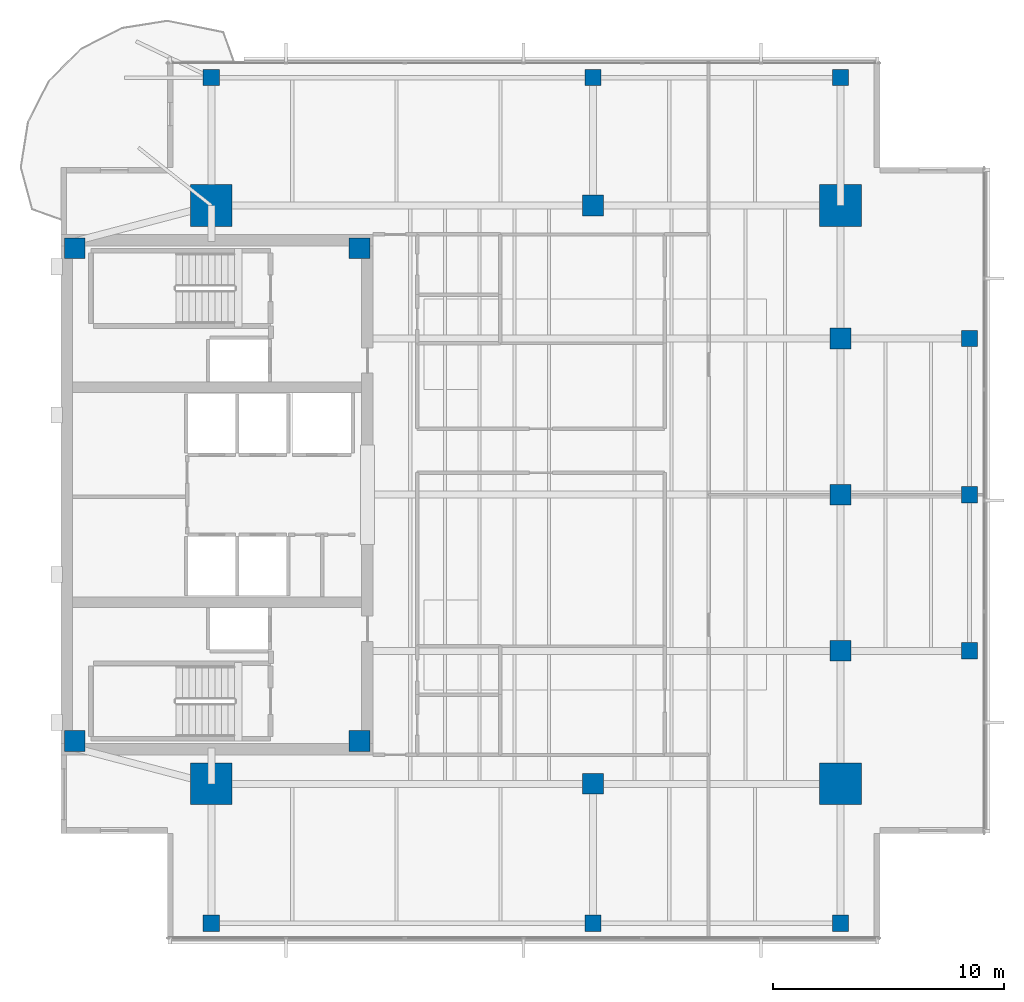
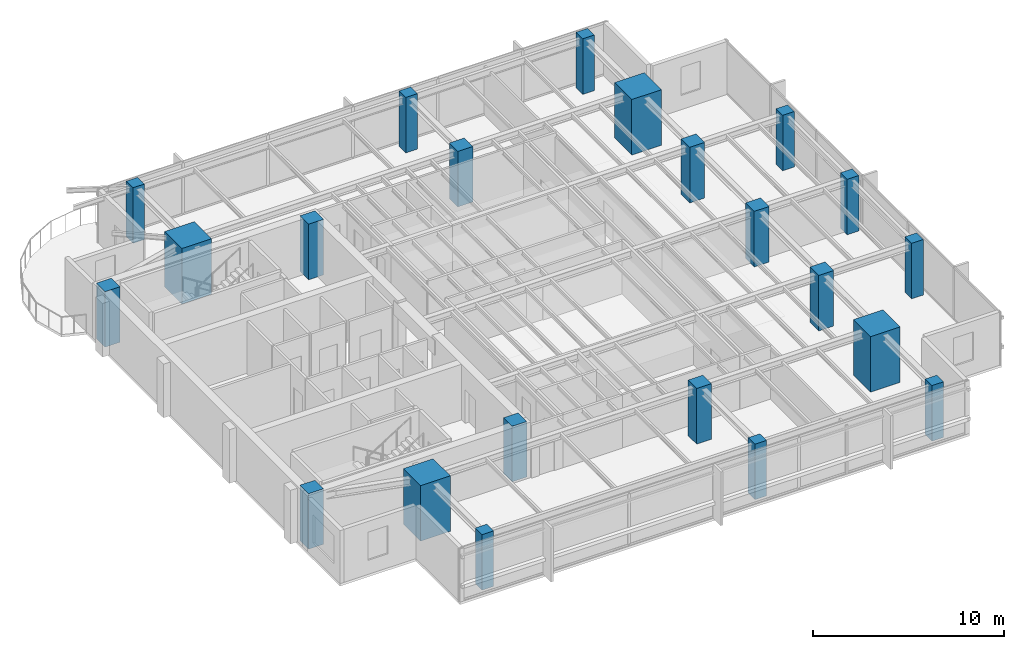
# One storey, part 1 of 14: 22 columns.
"""IFC4 building model written with IfcOpenShell, lengths in metres."""

from ifc_helpers import new_model, si_unit, direction, frame, origin, origin_2d, place, context, subcontext, project, spatial, rectangle, extrude, material, material_profile, profile_set, type_object, element, save


model = new_model("IFC4")

# Units and contexts
model_context = context("Model", 3, precision=1e-05, world=origin(), true_north=direction((0.0, 1.0)))
body_context = subcontext(model_context, "Body", "Model", "MODEL_VIEW")
ifc_project = project(units=[si_unit("LENGTHUNIT", "METRE"), si_unit("AREAUNIT", "SQUARE_METRE"), si_unit("VOLUMEUNIT", "CUBIC_METRE"), si_unit("PLANEANGLEUNIT", "RADIAN"), si_unit("MASSUNIT", "GRAM", prefix="KILO")], contexts=[model_context])

# Site, building, storey
site_placement = place(None, origin())
site = spatial("IfcSite", under=ifc_project, at=site_placement, CompositionType="ELEMENT")
building_placement = place(site_placement, origin())
building = spatial("IfcBuilding", under=site, at=building_placement, Name="Kinhvarn Gate Tower", CompositionType="ELEMENT")
storey_placement = place(building_placement, frame((0.0, 0.0, 267.0)))
storey = spatial("IfcBuildingStorey", under=building, at=storey_placement, Name="L71", CompositionType="ELEMENT", Elevation=267.0)

# Columns
ifc_material_1 = material(Name="Concrete C60/75", Category="concrete")
ifc_material_profile_1 = material_profile(ifc_material_1, rectangle(XDim=1.800048828125, YDim=1.800048828125, at=origin_2d()), Name="RC 1800x1800")
ifc_profile_set_1 = profile_set([ifc_material_profile_1], Name="Concrete C60/75")
column_type_1 = type_object("IfcColumnType", Name="COL-MC-1800", PredefinedType="COLUMN", material=ifc_profile_set_1)
for number, where, z_axis, x_axis, name in (
    (1, (11.0, 12.75, 0.0), (0.0, 0.0, 1.0), (1.0, 0.0, 0.0), "Column MC1-L71 (MC-18)"),
    (2, (11.0, 37.75, 0.0), (0.0, 0.0, 1.0), (1.0, 0.0, 0.0), "Column MC4-L71 (MC-18)"),
    (3, (38.199951171875, 12.75, 0.0), (0.0, 0.0, 1.0), (1.0, 0.0, 0.0), "Column MC2-L71 (MC-18)"),
    (4, (38.199951171875, 37.75, 0.0), (0.0, 0.0, 1.0), (1.0, 0.0, 0.0), "Column MC3-L71 (MC-18)"),
):
    element("IfcColumn", number, at=place(storey_placement, frame(where, z_axis=z_axis, x_axis=x_axis)), inside=storey, type_object=column_type_1, Name=name, PredefinedType="COLUMN", context=body_context, shape_type="SweptSolid", body=[
        extrude(rectangle(XDim=1.800048828125, YDim=1.800048828125, at=origin_2d()), origin(), (0.0, 0.0, 1.0), 3.550048828125),
    ])
ifc_material_2 = material(Name="Concrete C50/60", Category="concrete")
ifc_material_profile_2 = material_profile(ifc_material_2, rectangle(XDim=0.699951171875, YDim=0.699951171875, at=origin_2d()), Name="RC 700x700")
ifc_profile_set_2 = profile_set([ifc_material_profile_2], Name="Concrete C50/60")
column_type_2 = type_object("IfcColumnType", Name="COL-RC-700", PredefinedType="COLUMN", material=ifc_profile_set_2)
for number, where, z_axis, x_axis, name in (
    (5, (43.780029296875, 18.5, 0.0), (0.0, 0.0, 1.0), (1.0, 0.0, 0.0), "Column CE-1-L71 (C-070)"),
    (6, (43.780029296875, 25.25, 0.0), (0.0, 0.0, 1.0), (1.0, 0.0, 0.0), "Column CE-2-L71 (C-070)"),
    (7, (43.780029296875, 32.0, 0.0), (0.0, 0.0, 1.0), (1.0, 0.0, 0.0), "Column CE-3-L71 (C-070)"),
    (8, (11.0, 6.719970703125, 0.0), (0.0, 0.0, 1.0), (1.0, 0.0, 0.0), "Column CS-0-L71 (C-070)"),
    (9, (27.5, 6.719970703125, 0.0), (0.0, 0.0, 1.0), (1.0, 0.0, 0.0), "Column CS-1-L71 (C-070)"),
    (10, (38.199951171875, 6.719970703125, 0.0), (0.0, 0.0, 1.0), (1.0, 0.0, 0.0), "Column CS-2-L71 (C-070)"),
    (11, (11.0, 43.280029296875, 0.0), (0.0, 0.0, 1.0), (1.0, 0.0, 0.0), "Column CN-0-L71 (C-070)"),
    (12, (27.5, 43.280029296875, 0.0), (0.0, 0.0, 1.0), (1.0, 0.0, 0.0), "Column CN-1-L71 (C-070)"),
    (13, (38.199951171875, 43.280029296875, 0.0), (0.0, 0.0, 1.0), (1.0, 0.0, 0.0), "Column CN-2-L71 (C-070)"),
):
    element("IfcColumn", number, at=place(storey_placement, frame(where, z_axis=z_axis, x_axis=x_axis)), inside=storey, type_object=column_type_2, Name=name, PredefinedType="COLUMN", context=body_context, shape_type="SweptSolid", body=[
        extrude(rectangle(XDim=0.699951171875, YDim=0.699951171875, at=origin_2d()), origin(), (0.0, 0.0, 1.0), 3.550048828125),
    ])
ifc_material_profile_3 = material_profile(ifc_material_1, rectangle(XDim=0.89990234375, YDim=0.89990234375, at=origin_2d()), Name="RC 900x900")
ifc_profile_set_3 = profile_set([ifc_material_profile_3], Name="Concrete C60/75")
column_type_3 = type_object("IfcColumnType", Name="COL-RC-900", PredefinedType="COLUMN", material=ifc_profile_set_3)
for number, where, z_axis, x_axis, name in (
    (14, (27.5, 12.75, 0.0), (0.0, 0.0, 1.0), (1.0, 0.0, 0.0), "Column SP27-S-L71 (C-090)"),
    (15, (27.5, 37.75, 0.0), (0.0, 0.0, 1.0), (1.0, 0.0, 0.0), "Column SP27-N-L71 (C-090)"),
    (16, (38.199951171875, 18.5, 0.0), (0.0, 0.0, 1.0), (1.0, 0.0, 0.0), "Column SP38-E1-L71 (C-090)"),
    (17, (38.199951171875, 25.25, 0.0), (0.0, 0.0, 1.0), (1.0, 0.0, 0.0), "Column SP38-E2-L71 (C-090)"),
    (18, (38.199951171875, 32.0, 0.0), (0.0, 0.0, 1.0), (1.0, 0.0, 0.0), "Column SP38-E3-L71 (C-090)"),
):
    element("IfcColumn", number, at=place(storey_placement, frame(where, z_axis=z_axis, x_axis=x_axis)), inside=storey, type_object=column_type_3, Name=name, PredefinedType="COLUMN", context=body_context, shape_type="SweptSolid", body=[
        extrude(rectangle(XDim=0.89990234375, YDim=0.89990234375, at=origin_2d()), origin(), (0.0, 0.0, 1.0), 3.550048828125),
    ])
ifc_material_profile_4 = material_profile(ifc_material_2, rectangle(XDim=0.89990234375, YDim=0.89990234375, at=origin_2d()), Name="RC 900x900")
ifc_profile_set_4 = profile_set([ifc_material_profile_4], Name="Concrete C50/60")
column_type_4 = type_object("IfcColumnType", Name="PIL-RC-900", PredefinedType="PILASTER", material=ifc_profile_set_4)
for number, where, z_axis, x_axis, name in (
    (19, (5.10009765625, 14.60009765625, 0.0), (0.0, 0.0, 1.0), (1.0, 0.0, 0.0), "Column CC-SW-L71 (CP-090)"),
    (20, (5.10009765625, 35.89990234375, 0.0), (0.0, 0.0, 1.0), (1.0, 0.0, 0.0), "Column CC-NW-L71 (CP-090)"),
    (21, (17.39990234375, 14.60009765625, 0.0), (0.0, 0.0, 1.0), (1.0, 0.0, 0.0), "Column CC-SE-L71 (CP-090)"),
    (22, (17.39990234375, 35.89990234375, 0.0), (0.0, 0.0, 1.0), (1.0, 0.0, 0.0), "Column CC-NE-L71 (CP-090)"),
):
    element("IfcColumn", number, at=place(storey_placement, frame(where, z_axis=z_axis, x_axis=x_axis)), inside=storey, type_object=column_type_4, Name=name, PredefinedType="PILASTER", context=body_context, shape_type="SweptSolid", body=[
        extrude(rectangle(XDim=0.89990234375, YDim=0.89990234375, at=origin_2d()), origin(), (0.0, 0.0, 1.0), 3.550048828125),
    ])

save(model, "model.ifc")
